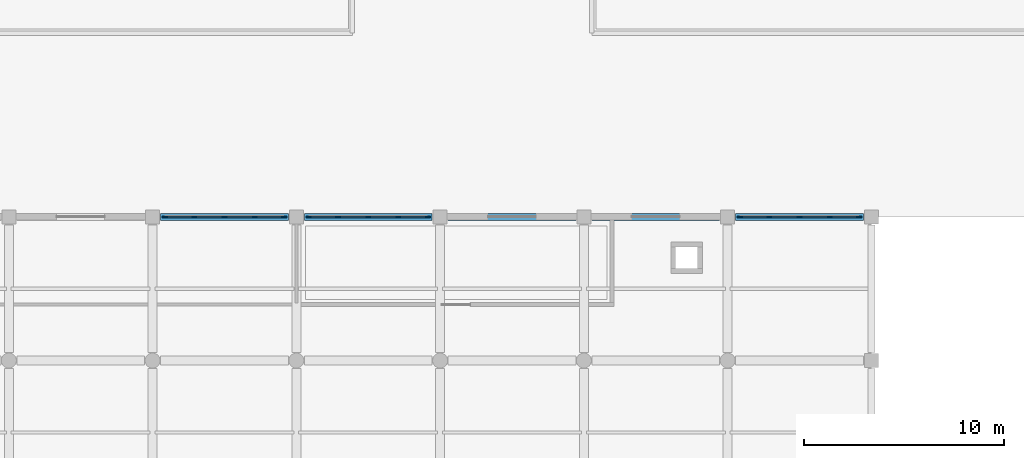
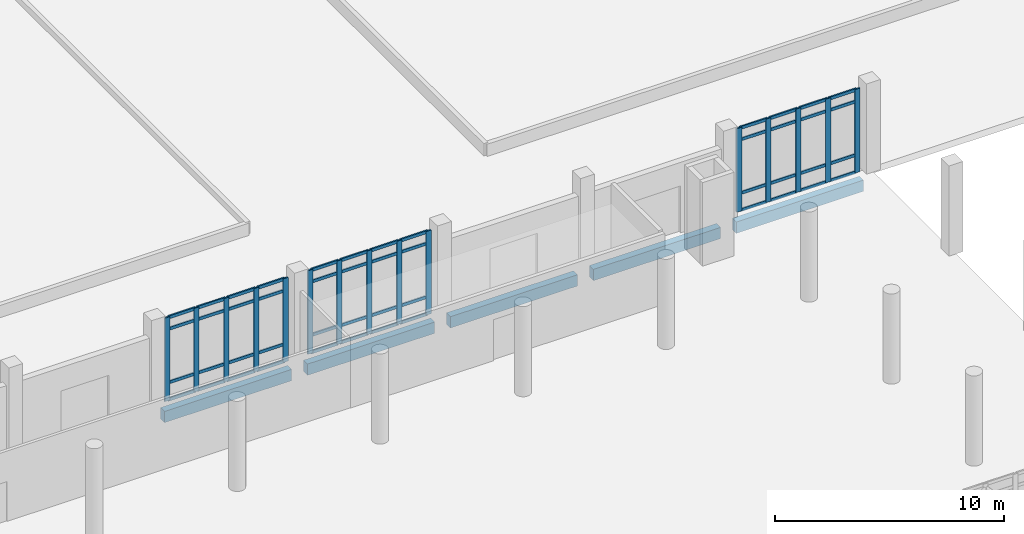
# One storey, part 24 of 59: 63 members, 5 beams, 3 elements without a shape of their own.
"""IFC4 building model written with IfcOpenShell, lengths in metres."""

from ifc_helpers import new_model, si_unit, direction, frame, origin, origin_2d, place, context, subcontext, project, spatial, rectangle, extrude, material, layer, layer_set, material_profile, profile_set, type_object, element, aggregate, save


model = new_model("IFC4")

# Units and contexts
model_context = context("Model", 3, precision=1e-05, world=origin(), true_north=direction((0.0, 1.0)))
body_context = subcontext(model_context, "Body", "Model", "MODEL_VIEW")
ifc_project = project(units=[si_unit("LENGTHUNIT", "METRE"), si_unit("AREAUNIT", "SQUARE_METRE"), si_unit("VOLUMEUNIT", "CUBIC_METRE"), si_unit("PLANEANGLEUNIT", "RADIAN"), si_unit("MASSUNIT", "GRAM", prefix="KILO")], contexts=[model_context])

# Site, building, storey
site_placement = place(None, origin())
site = spatial("IfcSite", under=ifc_project, at=site_placement, CompositionType="ELEMENT")
building_placement = place(site_placement, origin())
building = spatial("IfcBuilding", under=site, at=building_placement, Name="Valkovuoma Quantum and Materials Research Institute", CompositionType="ELEMENT")
storey_placement = place(building_placement, origin())
storey = spatial("IfcBuildingStorey", under=building, at=storey_placement, Name="L00", CompositionType="ELEMENT", Elevation=0.0)

# Beams
ifc_material_1 = material(Name="Concrete C40/50", Category="concrete")
ifc_material_profile_1 = material_profile(ifc_material_1, rectangle(XDim=0.35009765625, YDim=0.60009765625, at=origin_2d()), Name="Concrete C40/50")
ifc_profile_set_1 = profile_set([ifc_material_profile_1], Name="Concrete C40/50")
beam_type = type_object("IfcBeamType", Name="Beam-B-SPN600", PredefinedType="SPANDREL", material=ifc_profile_set_1)
beam_1_placement = place(storey_placement, frame((72.39990234375, 64.800048828125, -0.699951171875), z_axis=(1.0, 0.0, 0.0), x_axis=(0.0, 1.0, 0.0)))
element("IfcBeam", 1, at=beam_1_placement, inside=storey, type_object=beam_type, Name="L00 beam X-0122", PredefinedType="SPANDREL", context=body_context, shape_type="SweptSolid", body=[
    extrude(rectangle(XDim=0.35009765625, YDim=0.60009765625, at=origin_2d()), origin(), (0.0, 0.0, 1.0), 6.400146484375),
])
for number, where, z_axis, x_axis, name in (
    (2, (79.60009765625, 64.800048828125, -0.699951171875), (1.0, 0.0, 0.0), (0.0, 1.0, 0.0), "L00 beam X-0123"),
    (3, (86.800048828125, 64.800048828125, -0.699951171875), (1.0, 0.0, 0.0), (0.0, 1.0, 0.0), "L00 beam X-0124"),
    (4, (94.0, 64.800048828125, -0.699951171875), (1.0, 0.0, 0.0), (0.0, 1.0, 0.0), "L00 beam X-0125"),
):
    element("IfcBeam", number, at=place(storey_placement, frame(where, z_axis=z_axis, x_axis=x_axis)), inside=storey, type_object=beam_type, Name=name, PredefinedType="SPANDREL", context=body_context, shape_type="SweptSolid", body=[
        extrude(rectangle(XDim=0.35009765625, YDim=0.60009765625, at=origin_2d()), origin(), (0.0, 0.0, 1.0), 6.39990234375),
    ])
beam_2_placement = place(storey_placement, frame((101.199951171875, 64.800048828125, -0.699951171875), z_axis=(1.0, 0.0, 0.0), x_axis=(0.0, 1.0, 0.0)))
element("IfcBeam", 5, at=beam_2_placement, inside=storey, type_object=beam_type, Name="L00 beam X-0126", PredefinedType="SPANDREL", context=body_context, shape_type="SweptSolid", body=[
    extrude(rectangle(XDim=0.35009765625, YDim=0.60009765625, at=origin_2d()), origin(), (0.0, 0.0, 1.0), 6.400146484375),
])

# Curtain wall, members
ifc_material_2 = material(Name="Thermally broken aluminium and triple low-E glazing", Category="aluminium")
ifc_layer = layer(ifc_material_2, 0.219970703125)
ifc_layer_set = layer_set([ifc_layer], Name="Thermally broken aluminium and triple low-E glazing")
curtain_wall_type = type_object("IfcCurtainWallType", Name="CW-CW-02", PredefinedType="NOTDEFINED", material=ifc_layer_set)
curtain_wall_1_placement = place(storey_placement, origin())
curtain_wall_1 = element("IfcCurtainWall", 6, at=curtain_wall_1_placement, inside=storey, type_object=curtain_wall_type, Name="L00 curtain wall 156", PredefinedType="NOTDEFINED")
ifc_material_3 = material(Name="Anodised aluminium 6060-T66", Category="aluminium")
ifc_material_profile_2 = material_profile(ifc_material_3, rectangle(XDim=0.080078125, YDim=0.260009765625, at=origin_2d()), Name="Anodised aluminium 6060-T66")
ifc_profile_set_2 = profile_set([ifc_material_profile_2], Name="Anodised aluminium 6060-T66")
member_type_1 = type_object("IfcMemberType", Name="CWMull-CWM-03", PredefinedType="MULLION", material=ifc_profile_set_2)
member_1_placement = place(storey_placement, frame((72.6201171875, 64.800048828125, 0.0), z_axis=(0.0, 0.0, 1.0), x_axis=(0.0, 1.0, 0.0)))
member_1 = element("IfcMember", 7, at=member_1_placement, type_object=member_type_1, Name="CW-02 mullion 1", PredefinedType="MULLION", context=body_context, shape_type="SweptSolid", body=[
    extrude(rectangle(XDim=0.080078125, YDim=0.260009765625, at=origin_2d()), origin(), (0.0, 0.0, 1.0), 4.449951171875),
])
member_2_placement = place(storey_placement, frame((74.090087890625, 64.800048828125, 0.0), z_axis=(0.0, 0.0, 1.0), x_axis=(0.0, 1.0, 0.0)))
member_2 = element("IfcMember", 8, at=member_2_placement, type_object=member_type_1, Name="CW-02 mullion 2", PredefinedType="MULLION", context=body_context, shape_type="SweptSolid", body=[
    extrude(rectangle(XDim=0.080078125, YDim=0.260009765625, at=origin_2d()), origin(), (0.0, 0.0, 1.0), 4.449951171875),
])
member_3_placement = place(storey_placement, frame((75.60009765625, 64.800048828125, 0.0), z_axis=(0.0, 0.0, 1.0), x_axis=(0.0, 1.0, 0.0)))
member_3 = element("IfcMember", 9, at=member_3_placement, type_object=member_type_1, Name="CW-02 mullion 3", PredefinedType="MULLION", context=body_context, shape_type="SweptSolid", body=[
    extrude(rectangle(XDim=0.080078125, YDim=0.260009765625, at=origin_2d()), origin(), (0.0, 0.0, 1.0), 4.449951171875),
])
member_4_placement = place(storey_placement, frame((77.110107421875, 64.800048828125, 0.0), z_axis=(0.0, 0.0, 1.0), x_axis=(0.0, 1.0, 0.0)))
member_4 = element("IfcMember", 10, at=member_4_placement, type_object=member_type_1, Name="CW-02 mullion 4", PredefinedType="MULLION", context=body_context, shape_type="SweptSolid", body=[
    extrude(rectangle(XDim=0.080078125, YDim=0.260009765625, at=origin_2d()), origin(), (0.0, 0.0, 1.0), 4.449951171875),
])
member_5_placement = place(storey_placement, frame((78.580078125, 64.800048828125, 0.0), z_axis=(0.0, 0.0, 1.0), x_axis=(0.0, 1.0, 0.0)))
member_5 = element("IfcMember", 11, at=member_5_placement, type_object=member_type_1, Name="CW-02 mullion 5", PredefinedType="MULLION", context=body_context, shape_type="SweptSolid", body=[
    extrude(rectangle(XDim=0.080078125, YDim=0.260009765625, at=origin_2d()), origin(), (0.0, 0.0, 1.0), 4.449951171875),
])

curtain_wall_2_placement = place(storey_placement, origin())
curtain_wall_2 = element("IfcCurtainWall", 12, at=curtain_wall_2_placement, inside=storey, type_object=curtain_wall_type, Name="L00 curtain wall 157", PredefinedType="NOTDEFINED")
member_6_placement = place(storey_placement, frame((79.820068359375, 64.800048828125, 0.0), z_axis=(0.0, 0.0, 1.0), x_axis=(0.0, 1.0, 0.0)))
member_6 = element("IfcMember", 13, at=member_6_placement, type_object=member_type_1, Name="CW-02 mullion 1", PredefinedType="MULLION", context=body_context, shape_type="SweptSolid", body=[
    extrude(rectangle(XDim=0.080078125, YDim=0.260009765625, at=origin_2d()), origin(), (0.0, 0.0, 1.0), 4.449951171875),
])
member_7_placement = place(storey_placement, frame((81.2900390625, 64.800048828125, 0.0), z_axis=(0.0, 0.0, 1.0), x_axis=(0.0, 1.0, 0.0)))
member_7 = element("IfcMember", 14, at=member_7_placement, type_object=member_type_1, Name="CW-02 mullion 2", PredefinedType="MULLION", context=body_context, shape_type="SweptSolid", body=[
    extrude(rectangle(XDim=0.080078125, YDim=0.260009765625, at=origin_2d()), origin(), (0.0, 0.0, 1.0), 4.449951171875),
])
member_8_placement = place(storey_placement, frame((82.800048828125, 64.800048828125, 0.0), z_axis=(0.0, 0.0, 1.0), x_axis=(0.0, 1.0, 0.0)))
member_8 = element("IfcMember", 15, at=member_8_placement, type_object=member_type_1, Name="CW-02 mullion 3", PredefinedType="MULLION", context=body_context, shape_type="SweptSolid", body=[
    extrude(rectangle(XDim=0.080078125, YDim=0.260009765625, at=origin_2d()), origin(), (0.0, 0.0, 1.0), 4.449951171875),
])
member_9_placement = place(storey_placement, frame((84.31005859375, 64.800048828125, 0.0), z_axis=(0.0, 0.0, 1.0), x_axis=(0.0, 1.0, 0.0)))
member_9 = element("IfcMember", 16, at=member_9_placement, type_object=member_type_1, Name="CW-02 mullion 4", PredefinedType="MULLION", context=body_context, shape_type="SweptSolid", body=[
    extrude(rectangle(XDim=0.080078125, YDim=0.260009765625, at=origin_2d()), origin(), (0.0, 0.0, 1.0), 4.449951171875),
])
member_10_placement = place(storey_placement, frame((85.780029296875, 64.800048828125, 0.0), z_axis=(0.0, 0.0, 1.0), x_axis=(0.0, 1.0, 0.0)))
member_10 = element("IfcMember", 17, at=member_10_placement, type_object=member_type_1, Name="CW-02 mullion 5", PredefinedType="MULLION", context=body_context, shape_type="SweptSolid", body=[
    extrude(rectangle(XDim=0.080078125, YDim=0.260009765625, at=origin_2d()), origin(), (0.0, 0.0, 1.0), 4.449951171875),
])

curtain_wall_3_placement = place(storey_placement, origin())
curtain_wall_3 = element("IfcCurtainWall", 18, at=curtain_wall_3_placement, inside=storey, type_object=curtain_wall_type, Name="L00 curtain wall 158", PredefinedType="NOTDEFINED")
member_11_placement = place(storey_placement, frame((101.419921875, 64.800048828125, 0.0), z_axis=(0.0, 0.0, 1.0), x_axis=(0.0, 1.0, 0.0)))
member_11 = element("IfcMember", 19, at=member_11_placement, type_object=member_type_1, Name="CW-02 mullion 1", PredefinedType="MULLION", context=body_context, shape_type="SweptSolid", body=[
    extrude(rectangle(XDim=0.080078125, YDim=0.260009765625, at=origin_2d()), origin(), (0.0, 0.0, 1.0), 4.449951171875),
])
member_12_placement = place(storey_placement, frame((102.889892578125, 64.800048828125, 0.0), z_axis=(0.0, 0.0, 1.0), x_axis=(0.0, 1.0, 0.0)))
member_12 = element("IfcMember", 20, at=member_12_placement, type_object=member_type_1, Name="CW-02 mullion 2", PredefinedType="MULLION", context=body_context, shape_type="SweptSolid", body=[
    extrude(rectangle(XDim=0.080078125, YDim=0.260009765625, at=origin_2d()), origin(), (0.0, 0.0, 1.0), 4.449951171875),
])
member_13_placement = place(storey_placement, frame((104.39990234375, 64.800048828125, 0.0), z_axis=(0.0, 0.0, 1.0), x_axis=(0.0, 1.0, 0.0)))
member_13 = element("IfcMember", 21, at=member_13_placement, type_object=member_type_1, Name="CW-02 mullion 3", PredefinedType="MULLION", context=body_context, shape_type="SweptSolid", body=[
    extrude(rectangle(XDim=0.080078125, YDim=0.260009765625, at=origin_2d()), origin(), (0.0, 0.0, 1.0), 4.449951171875),
])
member_14_placement = place(storey_placement, frame((105.909912109375, 64.800048828125, 0.0), z_axis=(0.0, 0.0, 1.0), x_axis=(0.0, 1.0, 0.0)))
member_14 = element("IfcMember", 22, at=member_14_placement, type_object=member_type_1, Name="CW-02 mullion 4", PredefinedType="MULLION", context=body_context, shape_type="SweptSolid", body=[
    extrude(rectangle(XDim=0.080078125, YDim=0.260009765625, at=origin_2d()), origin(), (0.0, 0.0, 1.0), 4.449951171875),
])
member_15_placement = place(storey_placement, frame((107.3798828125, 64.800048828125, 0.0), z_axis=(0.0, 0.0, 1.0), x_axis=(0.0, 1.0, 0.0)))
member_15 = element("IfcMember", 23, at=member_15_placement, type_object=member_type_1, Name="CW-02 mullion 5", PredefinedType="MULLION", context=body_context, shape_type="SweptSolid", body=[
    extrude(rectangle(XDim=0.080078125, YDim=0.260009765625, at=origin_2d()), origin(), (0.0, 0.0, 1.0), 4.449951171875),
])

# Member
ifc_material_4 = material(Name="Anodised aluminium 6060-T66", Category="aluminium")
ifc_material_profile_3 = material_profile(ifc_material_4, rectangle(XDim=0.074951171875, YDim=0.159912109375, at=origin_2d()), Name="Anodised aluminium 6060-T66")
ifc_profile_set_3 = profile_set([ifc_material_profile_3], Name="Anodised aluminium 6060-T66")
member_type_2 = type_object("IfcMemberType", Name="CWTran-CWT-02", PredefinedType="USERDEFINED", material=ifc_profile_set_3)
member_16_placement = place(storey_placement, frame((72.659912109375, 64.800048828125, 0.03759765625), z_axis=(1.0, 0.0, 0.0), x_axis=(0.0, 1.0, 0.0)))
member_16 = element("IfcMember", 24, at=member_16_placement, type_object=member_type_2, Name="CW-02 transom 1.1", ObjectType="TRANSOM", PredefinedType="USERDEFINED", context=body_context, shape_type="SweptSolid", body=[
    extrude(rectangle(XDim=0.074951171875, YDim=0.159912109375, at=origin_2d()), origin(), (0.0, 0.0, 1.0), 1.39013671875),
])

member_17_placement = place(storey_placement, frame((72.659912109375, 64.800048828125, 0.949951171875), z_axis=(1.0, 0.0, 0.0), x_axis=(0.0, 1.0, 0.0)))
member_17 = element("IfcMember", 25, at=member_17_placement, type_object=member_type_2, Name="CW-02 transom 1.2", ObjectType="TRANSOM", PredefinedType="USERDEFINED", context=body_context, shape_type="SweptSolid", body=[
    extrude(rectangle(XDim=0.074951171875, YDim=0.159912109375, at=origin_2d()), origin(), (0.0, 0.0, 1.0), 1.39013671875),
])

member_18_placement = place(storey_placement, frame((72.659912109375, 64.800048828125, 3.800048828125), z_axis=(1.0, 0.0, 0.0), x_axis=(0.0, 1.0, 0.0)))
member_18 = element("IfcMember", 26, at=member_18_placement, type_object=member_type_2, Name="CW-02 transom 1.3", ObjectType="TRANSOM", PredefinedType="USERDEFINED", context=body_context, shape_type="SweptSolid", body=[
    extrude(rectangle(XDim=0.074951171875, YDim=0.159912109375, at=origin_2d()), origin(), (0.0, 0.0, 1.0), 1.39013671875),
])

member_19_placement = place(storey_placement, frame((72.659912109375, 64.800048828125, 4.41259765625), z_axis=(1.0, 0.0, 0.0), x_axis=(0.0, 1.0, 0.0)))
member_19 = element("IfcMember", 27, at=member_19_placement, type_object=member_type_2, Name="CW-02 transom 1.4", ObjectType="TRANSOM", PredefinedType="USERDEFINED", context=body_context, shape_type="SweptSolid", body=[
    extrude(rectangle(XDim=0.074951171875, YDim=0.159912109375, at=origin_2d()), origin(), (0.0, 0.0, 1.0), 1.39013671875),
])

member_20_placement = place(storey_placement, frame((74.1298828125, 64.800048828125, 0.03759765625), z_axis=(1.0, 0.0, 0.0), x_axis=(0.0, 1.0, 0.0)))
member_20 = element("IfcMember", 28, at=member_20_placement, type_object=member_type_2, Name="CW-02 transom 2.1", ObjectType="TRANSOM", PredefinedType="USERDEFINED", context=body_context, shape_type="SweptSolid", body=[
    extrude(rectangle(XDim=0.074951171875, YDim=0.159912109375, at=origin_2d()), origin(), (0.0, 0.0, 1.0), 1.43017578125),
])

member_21_placement = place(storey_placement, frame((74.1298828125, 64.800048828125, 0.949951171875), z_axis=(1.0, 0.0, 0.0), x_axis=(0.0, 1.0, 0.0)))
member_21 = element("IfcMember", 29, at=member_21_placement, type_object=member_type_2, Name="CW-02 transom 2.2", ObjectType="TRANSOM", PredefinedType="USERDEFINED", context=body_context, shape_type="SweptSolid", body=[
    extrude(rectangle(XDim=0.074951171875, YDim=0.159912109375, at=origin_2d()), origin(), (0.0, 0.0, 1.0), 1.43017578125),
])

member_22_placement = place(storey_placement, frame((74.1298828125, 64.800048828125, 3.800048828125), z_axis=(1.0, 0.0, 0.0), x_axis=(0.0, 1.0, 0.0)))
member_22 = element("IfcMember", 30, at=member_22_placement, type_object=member_type_2, Name="CW-02 transom 2.3", ObjectType="TRANSOM", PredefinedType="USERDEFINED", context=body_context, shape_type="SweptSolid", body=[
    extrude(rectangle(XDim=0.074951171875, YDim=0.159912109375, at=origin_2d()), origin(), (0.0, 0.0, 1.0), 1.43017578125),
])

member_23_placement = place(storey_placement, frame((74.1298828125, 64.800048828125, 4.41259765625), z_axis=(1.0, 0.0, 0.0), x_axis=(0.0, 1.0, 0.0)))
member_23 = element("IfcMember", 31, at=member_23_placement, type_object=member_type_2, Name="CW-02 transom 2.4", ObjectType="TRANSOM", PredefinedType="USERDEFINED", context=body_context, shape_type="SweptSolid", body=[
    extrude(rectangle(XDim=0.074951171875, YDim=0.159912109375, at=origin_2d()), origin(), (0.0, 0.0, 1.0), 1.43017578125),
])

member_24_placement = place(storey_placement, frame((75.639892578125, 64.800048828125, 0.03759765625), z_axis=(1.0, 0.0, 0.0), x_axis=(0.0, 1.0, 0.0)))
member_24 = element("IfcMember", 32, at=member_24_placement, type_object=member_type_2, Name="CW-02 transom 3.1", ObjectType="TRANSOM", PredefinedType="USERDEFINED", context=body_context, shape_type="SweptSolid", body=[
    extrude(rectangle(XDim=0.074951171875, YDim=0.159912109375, at=origin_2d()), origin(), (0.0, 0.0, 1.0), 1.43017578125),
])

member_25_placement = place(storey_placement, frame((75.639892578125, 64.800048828125, 0.949951171875), z_axis=(1.0, 0.0, 0.0), x_axis=(0.0, 1.0, 0.0)))
member_25 = element("IfcMember", 33, at=member_25_placement, type_object=member_type_2, Name="CW-02 transom 3.2", ObjectType="TRANSOM", PredefinedType="USERDEFINED", context=body_context, shape_type="SweptSolid", body=[
    extrude(rectangle(XDim=0.074951171875, YDim=0.159912109375, at=origin_2d()), origin(), (0.0, 0.0, 1.0), 1.43017578125),
])

member_26_placement = place(storey_placement, frame((75.639892578125, 64.800048828125, 3.800048828125), z_axis=(1.0, 0.0, 0.0), x_axis=(0.0, 1.0, 0.0)))
member_26 = element("IfcMember", 34, at=member_26_placement, type_object=member_type_2, Name="CW-02 transom 3.3", ObjectType="TRANSOM", PredefinedType="USERDEFINED", context=body_context, shape_type="SweptSolid", body=[
    extrude(rectangle(XDim=0.074951171875, YDim=0.159912109375, at=origin_2d()), origin(), (0.0, 0.0, 1.0), 1.43017578125),
])

member_27_placement = place(storey_placement, frame((75.639892578125, 64.800048828125, 4.41259765625), z_axis=(1.0, 0.0, 0.0), x_axis=(0.0, 1.0, 0.0)))
member_27 = element("IfcMember", 35, at=member_27_placement, type_object=member_type_2, Name="CW-02 transom 3.4", ObjectType="TRANSOM", PredefinedType="USERDEFINED", context=body_context, shape_type="SweptSolid", body=[
    extrude(rectangle(XDim=0.074951171875, YDim=0.159912109375, at=origin_2d()), origin(), (0.0, 0.0, 1.0), 1.43017578125),
])

member_28_placement = place(storey_placement, frame((77.14990234375, 64.800048828125, 0.03759765625), z_axis=(1.0, 0.0, 0.0), x_axis=(0.0, 1.0, 0.0)))
member_28 = element("IfcMember", 36, at=member_28_placement, type_object=member_type_2, Name="CW-02 transom 4.1", ObjectType="TRANSOM", PredefinedType="USERDEFINED", context=body_context, shape_type="SweptSolid", body=[
    extrude(rectangle(XDim=0.074951171875, YDim=0.159912109375, at=origin_2d()), origin(), (0.0, 0.0, 1.0), 1.39013671875),
])

member_29_placement = place(storey_placement, frame((77.14990234375, 64.800048828125, 0.949951171875), z_axis=(1.0, 0.0, 0.0), x_axis=(0.0, 1.0, 0.0)))
member_29 = element("IfcMember", 37, at=member_29_placement, type_object=member_type_2, Name="CW-02 transom 4.2", ObjectType="TRANSOM", PredefinedType="USERDEFINED", context=body_context, shape_type="SweptSolid", body=[
    extrude(rectangle(XDim=0.074951171875, YDim=0.159912109375, at=origin_2d()), origin(), (0.0, 0.0, 1.0), 1.39013671875),
])

member_30_placement = place(storey_placement, frame((77.14990234375, 64.800048828125, 3.800048828125), z_axis=(1.0, 0.0, 0.0), x_axis=(0.0, 1.0, 0.0)))
member_30 = element("IfcMember", 38, at=member_30_placement, type_object=member_type_2, Name="CW-02 transom 4.3", ObjectType="TRANSOM", PredefinedType="USERDEFINED", context=body_context, shape_type="SweptSolid", body=[
    extrude(rectangle(XDim=0.074951171875, YDim=0.159912109375, at=origin_2d()), origin(), (0.0, 0.0, 1.0), 1.39013671875),
])

member_31_placement = place(storey_placement, frame((77.14990234375, 64.800048828125, 4.41259765625), z_axis=(1.0, 0.0, 0.0), x_axis=(0.0, 1.0, 0.0)))
member_31 = element("IfcMember", 39, at=member_31_placement, type_object=member_type_2, Name="CW-02 transom 4.4", ObjectType="TRANSOM", PredefinedType="USERDEFINED", context=body_context, shape_type="SweptSolid", body=[
    extrude(rectangle(XDim=0.074951171875, YDim=0.159912109375, at=origin_2d()), origin(), (0.0, 0.0, 1.0), 1.39013671875),
])

aggregate(curtain_wall_1, [member_1, member_2, member_3, member_4, member_5, member_16, member_17, member_18, member_19, member_20, member_21, member_22, member_23, member_24, member_25, member_26, member_27, member_28, member_29, member_30, member_31])

member_32_placement = place(storey_placement, frame((79.860107421875, 64.800048828125, 0.03759765625), z_axis=(1.0, 0.0, 0.0), x_axis=(0.0, 1.0, 0.0)))
member_32 = element("IfcMember", 40, at=member_32_placement, type_object=member_type_2, Name="CW-02 transom 1.1", ObjectType="TRANSOM", PredefinedType="USERDEFINED", context=body_context, shape_type="SweptSolid", body=[
    extrude(rectangle(XDim=0.074951171875, YDim=0.159912109375, at=origin_2d()), origin(), (0.0, 0.0, 1.0), 1.389892578125),
])

member_33_placement = place(storey_placement, frame((79.860107421875, 64.800048828125, 0.949951171875), z_axis=(1.0, 0.0, 0.0), x_axis=(0.0, 1.0, 0.0)))
member_33 = element("IfcMember", 41, at=member_33_placement, type_object=member_type_2, Name="CW-02 transom 1.2", ObjectType="TRANSOM", PredefinedType="USERDEFINED", context=body_context, shape_type="SweptSolid", body=[
    extrude(rectangle(XDim=0.074951171875, YDim=0.159912109375, at=origin_2d()), origin(), (0.0, 0.0, 1.0), 1.389892578125),
])

member_34_placement = place(storey_placement, frame((79.860107421875, 64.800048828125, 3.800048828125), z_axis=(1.0, 0.0, 0.0), x_axis=(0.0, 1.0, 0.0)))
member_34 = element("IfcMember", 42, at=member_34_placement, type_object=member_type_2, Name="CW-02 transom 1.3", ObjectType="TRANSOM", PredefinedType="USERDEFINED", context=body_context, shape_type="SweptSolid", body=[
    extrude(rectangle(XDim=0.074951171875, YDim=0.159912109375, at=origin_2d()), origin(), (0.0, 0.0, 1.0), 1.389892578125),
])

member_35_placement = place(storey_placement, frame((79.860107421875, 64.800048828125, 4.41259765625), z_axis=(1.0, 0.0, 0.0), x_axis=(0.0, 1.0, 0.0)))
member_35 = element("IfcMember", 43, at=member_35_placement, type_object=member_type_2, Name="CW-02 transom 1.4", ObjectType="TRANSOM", PredefinedType="USERDEFINED", context=body_context, shape_type="SweptSolid", body=[
    extrude(rectangle(XDim=0.074951171875, YDim=0.159912109375, at=origin_2d()), origin(), (0.0, 0.0, 1.0), 1.389892578125),
])

member_36_placement = place(storey_placement, frame((81.330078125, 64.800048828125, 0.03759765625), z_axis=(1.0, 0.0, 0.0), x_axis=(0.0, 1.0, 0.0)))
member_36 = element("IfcMember", 44, at=member_36_placement, type_object=member_type_2, Name="CW-02 transom 2.1", ObjectType="TRANSOM", PredefinedType="USERDEFINED", context=body_context, shape_type="SweptSolid", body=[
    extrude(rectangle(XDim=0.074951171875, YDim=0.159912109375, at=origin_2d()), origin(), (0.0, 0.0, 1.0), 1.429931640625),
])

member_37_placement = place(storey_placement, frame((81.330078125, 64.800048828125, 0.949951171875), z_axis=(1.0, 0.0, 0.0), x_axis=(0.0, 1.0, 0.0)))
member_37 = element("IfcMember", 45, at=member_37_placement, type_object=member_type_2, Name="CW-02 transom 2.2", ObjectType="TRANSOM", PredefinedType="USERDEFINED", context=body_context, shape_type="SweptSolid", body=[
    extrude(rectangle(XDim=0.074951171875, YDim=0.159912109375, at=origin_2d()), origin(), (0.0, 0.0, 1.0), 1.429931640625),
])

member_38_placement = place(storey_placement, frame((81.330078125, 64.800048828125, 3.800048828125), z_axis=(1.0, 0.0, 0.0), x_axis=(0.0, 1.0, 0.0)))
member_38 = element("IfcMember", 46, at=member_38_placement, type_object=member_type_2, Name="CW-02 transom 2.3", ObjectType="TRANSOM", PredefinedType="USERDEFINED", context=body_context, shape_type="SweptSolid", body=[
    extrude(rectangle(XDim=0.074951171875, YDim=0.159912109375, at=origin_2d()), origin(), (0.0, 0.0, 1.0), 1.429931640625),
])

member_39_placement = place(storey_placement, frame((81.330078125, 64.800048828125, 4.41259765625), z_axis=(1.0, 0.0, 0.0), x_axis=(0.0, 1.0, 0.0)))
member_39 = element("IfcMember", 47, at=member_39_placement, type_object=member_type_2, Name="CW-02 transom 2.4", ObjectType="TRANSOM", PredefinedType="USERDEFINED", context=body_context, shape_type="SweptSolid", body=[
    extrude(rectangle(XDim=0.074951171875, YDim=0.159912109375, at=origin_2d()), origin(), (0.0, 0.0, 1.0), 1.429931640625),
])

member_40_placement = place(storey_placement, frame((82.840087890625, 64.800048828125, 0.03759765625), z_axis=(1.0, 0.0, 0.0), x_axis=(0.0, 1.0, 0.0)))
member_40 = element("IfcMember", 48, at=member_40_placement, type_object=member_type_2, Name="CW-02 transom 3.1", ObjectType="TRANSOM", PredefinedType="USERDEFINED", context=body_context, shape_type="SweptSolid", body=[
    extrude(rectangle(XDim=0.074951171875, YDim=0.159912109375, at=origin_2d()), origin(), (0.0, 0.0, 1.0), 1.429931640625),
])

member_41_placement = place(storey_placement, frame((82.840087890625, 64.800048828125, 0.949951171875), z_axis=(1.0, 0.0, 0.0), x_axis=(0.0, 1.0, 0.0)))
member_41 = element("IfcMember", 49, at=member_41_placement, type_object=member_type_2, Name="CW-02 transom 3.2", ObjectType="TRANSOM", PredefinedType="USERDEFINED", context=body_context, shape_type="SweptSolid", body=[
    extrude(rectangle(XDim=0.074951171875, YDim=0.159912109375, at=origin_2d()), origin(), (0.0, 0.0, 1.0), 1.429931640625),
])

member_42_placement = place(storey_placement, frame((82.840087890625, 64.800048828125, 3.800048828125), z_axis=(1.0, 0.0, 0.0), x_axis=(0.0, 1.0, 0.0)))
member_42 = element("IfcMember", 50, at=member_42_placement, type_object=member_type_2, Name="CW-02 transom 3.3", ObjectType="TRANSOM", PredefinedType="USERDEFINED", context=body_context, shape_type="SweptSolid", body=[
    extrude(rectangle(XDim=0.074951171875, YDim=0.159912109375, at=origin_2d()), origin(), (0.0, 0.0, 1.0), 1.429931640625),
])

member_43_placement = place(storey_placement, frame((82.840087890625, 64.800048828125, 4.41259765625), z_axis=(1.0, 0.0, 0.0), x_axis=(0.0, 1.0, 0.0)))
member_43 = element("IfcMember", 51, at=member_43_placement, type_object=member_type_2, Name="CW-02 transom 3.4", ObjectType="TRANSOM", PredefinedType="USERDEFINED", context=body_context, shape_type="SweptSolid", body=[
    extrude(rectangle(XDim=0.074951171875, YDim=0.159912109375, at=origin_2d()), origin(), (0.0, 0.0, 1.0), 1.429931640625),
])

member_44_placement = place(storey_placement, frame((84.35009765625, 64.800048828125, 0.03759765625), z_axis=(1.0, 0.0, 0.0), x_axis=(0.0, 1.0, 0.0)))
member_44 = element("IfcMember", 52, at=member_44_placement, type_object=member_type_2, Name="CW-02 transom 4.1", ObjectType="TRANSOM", PredefinedType="USERDEFINED", context=body_context, shape_type="SweptSolid", body=[
    extrude(rectangle(XDim=0.074951171875, YDim=0.159912109375, at=origin_2d()), origin(), (0.0, 0.0, 1.0), 1.389892578125),
])

member_45_placement = place(storey_placement, frame((84.35009765625, 64.800048828125, 0.949951171875), z_axis=(1.0, 0.0, 0.0), x_axis=(0.0, 1.0, 0.0)))
member_45 = element("IfcMember", 53, at=member_45_placement, type_object=member_type_2, Name="CW-02 transom 4.2", ObjectType="TRANSOM", PredefinedType="USERDEFINED", context=body_context, shape_type="SweptSolid", body=[
    extrude(rectangle(XDim=0.074951171875, YDim=0.159912109375, at=origin_2d()), origin(), (0.0, 0.0, 1.0), 1.389892578125),
])

member_46_placement = place(storey_placement, frame((84.35009765625, 64.800048828125, 3.800048828125), z_axis=(1.0, 0.0, 0.0), x_axis=(0.0, 1.0, 0.0)))
member_46 = element("IfcMember", 54, at=member_46_placement, type_object=member_type_2, Name="CW-02 transom 4.3", ObjectType="TRANSOM", PredefinedType="USERDEFINED", context=body_context, shape_type="SweptSolid", body=[
    extrude(rectangle(XDim=0.074951171875, YDim=0.159912109375, at=origin_2d()), origin(), (0.0, 0.0, 1.0), 1.389892578125),
])

member_47_placement = place(storey_placement, frame((84.35009765625, 64.800048828125, 4.41259765625), z_axis=(1.0, 0.0, 0.0), x_axis=(0.0, 1.0, 0.0)))
member_47 = element("IfcMember", 55, at=member_47_placement, type_object=member_type_2, Name="CW-02 transom 4.4", ObjectType="TRANSOM", PredefinedType="USERDEFINED", context=body_context, shape_type="SweptSolid", body=[
    extrude(rectangle(XDim=0.074951171875, YDim=0.159912109375, at=origin_2d()), origin(), (0.0, 0.0, 1.0), 1.389892578125),
])

aggregate(curtain_wall_2, [member_6, member_7, member_8, member_9, member_10, member_32, member_33, member_34, member_35, member_36, member_37, member_38, member_39, member_40, member_41, member_42, member_43, member_44, member_45, member_46, member_47])

member_48_placement = place(storey_placement, frame((101.4599609375, 64.800048828125, 0.03759765625), z_axis=(1.0, 0.0, 0.0), x_axis=(0.0, 1.0, 0.0)))
member_48 = element("IfcMember", 56, at=member_48_placement, type_object=member_type_2, Name="CW-02 transom 1.1", ObjectType="TRANSOM", PredefinedType="USERDEFINED", context=body_context, shape_type="SweptSolid", body=[
    extrude(rectangle(XDim=0.074951171875, YDim=0.159912109375, at=origin_2d()), origin(), (0.0, 0.0, 1.0), 1.39013671875),
])

member_49_placement = place(storey_placement, frame((101.4599609375, 64.800048828125, 0.949951171875), z_axis=(1.0, 0.0, 0.0), x_axis=(0.0, 1.0, 0.0)))
member_49 = element("IfcMember", 57, at=member_49_placement, type_object=member_type_2, Name="CW-02 transom 1.2", ObjectType="TRANSOM", PredefinedType="USERDEFINED", context=body_context, shape_type="SweptSolid", body=[
    extrude(rectangle(XDim=0.074951171875, YDim=0.159912109375, at=origin_2d()), origin(), (0.0, 0.0, 1.0), 1.39013671875),
])

member_50_placement = place(storey_placement, frame((101.4599609375, 64.800048828125, 3.800048828125), z_axis=(1.0, 0.0, 0.0), x_axis=(0.0, 1.0, 0.0)))
member_50 = element("IfcMember", 58, at=member_50_placement, type_object=member_type_2, Name="CW-02 transom 1.3", ObjectType="TRANSOM", PredefinedType="USERDEFINED", context=body_context, shape_type="SweptSolid", body=[
    extrude(rectangle(XDim=0.074951171875, YDim=0.159912109375, at=origin_2d()), origin(), (0.0, 0.0, 1.0), 1.39013671875),
])

member_51_placement = place(storey_placement, frame((101.4599609375, 64.800048828125, 4.41259765625), z_axis=(1.0, 0.0, 0.0), x_axis=(0.0, 1.0, 0.0)))
member_51 = element("IfcMember", 59, at=member_51_placement, type_object=member_type_2, Name="CW-02 transom 1.4", ObjectType="TRANSOM", PredefinedType="USERDEFINED", context=body_context, shape_type="SweptSolid", body=[
    extrude(rectangle(XDim=0.074951171875, YDim=0.159912109375, at=origin_2d()), origin(), (0.0, 0.0, 1.0), 1.39013671875),
])

member_52_placement = place(storey_placement, frame((102.929931640625, 64.800048828125, 0.03759765625), z_axis=(1.0, 0.0, 0.0), x_axis=(0.0, 1.0, 0.0)))
member_52 = element("IfcMember", 60, at=member_52_placement, type_object=member_type_2, Name="CW-02 transom 2.1", ObjectType="TRANSOM", PredefinedType="USERDEFINED", context=body_context, shape_type="SweptSolid", body=[
    extrude(rectangle(XDim=0.074951171875, YDim=0.159912109375, at=origin_2d()), origin(), (0.0, 0.0, 1.0), 1.43017578125),
])

member_53_placement = place(storey_placement, frame((102.929931640625, 64.800048828125, 0.949951171875), z_axis=(1.0, 0.0, 0.0), x_axis=(0.0, 1.0, 0.0)))
member_53 = element("IfcMember", 61, at=member_53_placement, type_object=member_type_2, Name="CW-02 transom 2.2", ObjectType="TRANSOM", PredefinedType="USERDEFINED", context=body_context, shape_type="SweptSolid", body=[
    extrude(rectangle(XDim=0.074951171875, YDim=0.159912109375, at=origin_2d()), origin(), (0.0, 0.0, 1.0), 1.43017578125),
])

member_54_placement = place(storey_placement, frame((102.929931640625, 64.800048828125, 3.800048828125), z_axis=(1.0, 0.0, 0.0), x_axis=(0.0, 1.0, 0.0)))
member_54 = element("IfcMember", 62, at=member_54_placement, type_object=member_type_2, Name="CW-02 transom 2.3", ObjectType="TRANSOM", PredefinedType="USERDEFINED", context=body_context, shape_type="SweptSolid", body=[
    extrude(rectangle(XDim=0.074951171875, YDim=0.159912109375, at=origin_2d()), origin(), (0.0, 0.0, 1.0), 1.43017578125),
])

member_55_placement = place(storey_placement, frame((102.929931640625, 64.800048828125, 4.41259765625), z_axis=(1.0, 0.0, 0.0), x_axis=(0.0, 1.0, 0.0)))
member_55 = element("IfcMember", 63, at=member_55_placement, type_object=member_type_2, Name="CW-02 transom 2.4", ObjectType="TRANSOM", PredefinedType="USERDEFINED", context=body_context, shape_type="SweptSolid", body=[
    extrude(rectangle(XDim=0.074951171875, YDim=0.159912109375, at=origin_2d()), origin(), (0.0, 0.0, 1.0), 1.43017578125),
])

member_56_placement = place(storey_placement, frame((104.43994140625, 64.800048828125, 0.03759765625), z_axis=(1.0, 0.0, 0.0), x_axis=(0.0, 1.0, 0.0)))
member_56 = element("IfcMember", 64, at=member_56_placement, type_object=member_type_2, Name="CW-02 transom 3.1", ObjectType="TRANSOM", PredefinedType="USERDEFINED", context=body_context, shape_type="SweptSolid", body=[
    extrude(rectangle(XDim=0.074951171875, YDim=0.159912109375, at=origin_2d()), origin(), (0.0, 0.0, 1.0), 1.43017578125),
])

member_57_placement = place(storey_placement, frame((104.43994140625, 64.800048828125, 0.949951171875), z_axis=(1.0, 0.0, 0.0), x_axis=(0.0, 1.0, 0.0)))
member_57 = element("IfcMember", 65, at=member_57_placement, type_object=member_type_2, Name="CW-02 transom 3.2", ObjectType="TRANSOM", PredefinedType="USERDEFINED", context=body_context, shape_type="SweptSolid", body=[
    extrude(rectangle(XDim=0.074951171875, YDim=0.159912109375, at=origin_2d()), origin(), (0.0, 0.0, 1.0), 1.43017578125),
])

member_58_placement = place(storey_placement, frame((104.43994140625, 64.800048828125, 3.800048828125), z_axis=(1.0, 0.0, 0.0), x_axis=(0.0, 1.0, 0.0)))
member_58 = element("IfcMember", 66, at=member_58_placement, type_object=member_type_2, Name="CW-02 transom 3.3", ObjectType="TRANSOM", PredefinedType="USERDEFINED", context=body_context, shape_type="SweptSolid", body=[
    extrude(rectangle(XDim=0.074951171875, YDim=0.159912109375, at=origin_2d()), origin(), (0.0, 0.0, 1.0), 1.43017578125),
])

member_59_placement = place(storey_placement, frame((104.43994140625, 64.800048828125, 4.41259765625), z_axis=(1.0, 0.0, 0.0), x_axis=(0.0, 1.0, 0.0)))
member_59 = element("IfcMember", 67, at=member_59_placement, type_object=member_type_2, Name="CW-02 transom 3.4", ObjectType="TRANSOM", PredefinedType="USERDEFINED", context=body_context, shape_type="SweptSolid", body=[
    extrude(rectangle(XDim=0.074951171875, YDim=0.159912109375, at=origin_2d()), origin(), (0.0, 0.0, 1.0), 1.43017578125),
])

member_60_placement = place(storey_placement, frame((105.949951171875, 64.800048828125, 0.03759765625), z_axis=(1.0, 0.0, 0.0), x_axis=(0.0, 1.0, 0.0)))
member_60 = element("IfcMember", 68, at=member_60_placement, type_object=member_type_2, Name="CW-02 transom 4.1", ObjectType="TRANSOM", PredefinedType="USERDEFINED", context=body_context, shape_type="SweptSolid", body=[
    extrude(rectangle(XDim=0.074951171875, YDim=0.159912109375, at=origin_2d()), origin(), (0.0, 0.0, 1.0), 1.39013671875),
])

member_61_placement = place(storey_placement, frame((105.949951171875, 64.800048828125, 0.949951171875), z_axis=(1.0, 0.0, 0.0), x_axis=(0.0, 1.0, 0.0)))
member_61 = element("IfcMember", 69, at=member_61_placement, type_object=member_type_2, Name="CW-02 transom 4.2", ObjectType="TRANSOM", PredefinedType="USERDEFINED", context=body_context, shape_type="SweptSolid", body=[
    extrude(rectangle(XDim=0.074951171875, YDim=0.159912109375, at=origin_2d()), origin(), (0.0, 0.0, 1.0), 1.39013671875),
])

member_62_placement = place(storey_placement, frame((105.949951171875, 64.800048828125, 3.800048828125), z_axis=(1.0, 0.0, 0.0), x_axis=(0.0, 1.0, 0.0)))
member_62 = element("IfcMember", 70, at=member_62_placement, type_object=member_type_2, Name="CW-02 transom 4.3", ObjectType="TRANSOM", PredefinedType="USERDEFINED", context=body_context, shape_type="SweptSolid", body=[
    extrude(rectangle(XDim=0.074951171875, YDim=0.159912109375, at=origin_2d()), origin(), (0.0, 0.0, 1.0), 1.39013671875),
])

member_63_placement = place(storey_placement, frame((105.949951171875, 64.800048828125, 4.41259765625), z_axis=(1.0, 0.0, 0.0), x_axis=(0.0, 1.0, 0.0)))
member_63 = element("IfcMember", 71, at=member_63_placement, type_object=member_type_2, Name="CW-02 transom 4.4", ObjectType="TRANSOM", PredefinedType="USERDEFINED", context=body_context, shape_type="SweptSolid", body=[
    extrude(rectangle(XDim=0.074951171875, YDim=0.159912109375, at=origin_2d()), origin(), (0.0, 0.0, 1.0), 1.39013671875),
])

aggregate(curtain_wall_3, [member_11, member_12, member_13, member_14, member_15, member_48, member_49, member_50, member_51, member_52, member_53, member_54, member_55, member_56, member_57, member_58, member_59, member_60, member_61, member_62, member_63])

save(model, "model.ifc")
